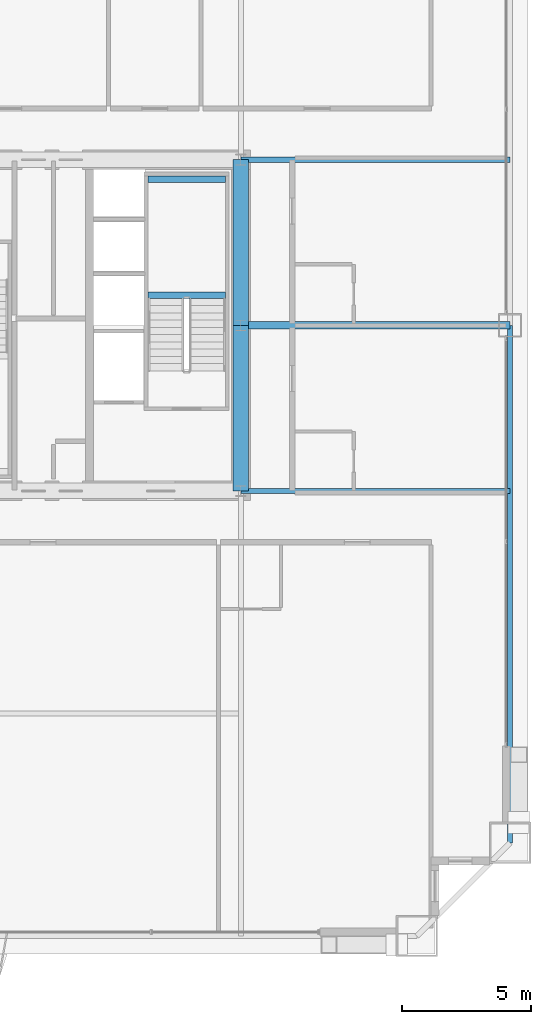
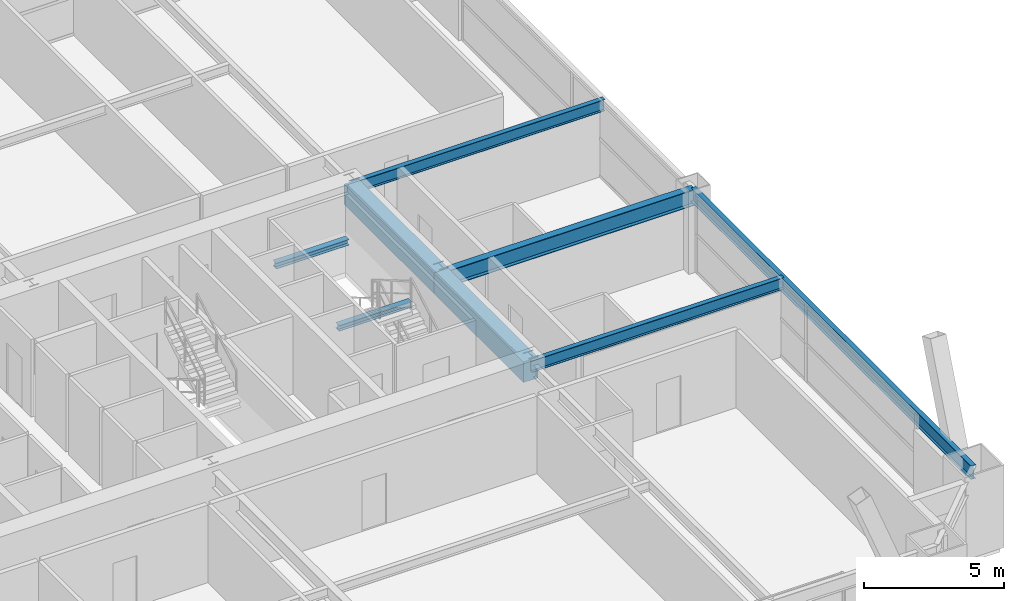
# One storey, part 17 of 41: 8 beams.
"""IFC4 building model written with IfcOpenShell, lengths in metres."""

from ifc_helpers import new_model, si_unit, direction, frame, origin, origin_2d, place, context, subcontext, project, spatial, rectangle, i_section, extrude, source, transform, mapped, material, material_profile, profile_set, type_object, element, save


model = new_model("IFC4")

# Units and contexts
model_context = context("Model", 3, precision=1e-05, world=origin(), true_north=direction((0.0, 1.0)))
body_context = subcontext(model_context, "Body", "Model", "MODEL_VIEW")
ifc_project = project(units=[si_unit("LENGTHUNIT", "METRE"), si_unit("AREAUNIT", "SQUARE_METRE"), si_unit("VOLUMEUNIT", "CUBIC_METRE"), si_unit("PLANEANGLEUNIT", "RADIAN"), si_unit("MASSUNIT", "GRAM", prefix="KILO"), si_unit("THERMODYNAMICTEMPERATUREUNIT", "KELVIN"), si_unit("POWERUNIT", "WATT")], contexts=[model_context])

# Site, building, storey
site_placement = place(None, origin())
site = spatial("IfcSite", under=ifc_project, at=site_placement, CompositionType="ELEMENT")
building_placement = place(site_placement, origin())
building = spatial("IfcBuilding", under=site, at=building_placement, Name="Yuzanri Waterfront Tower", CompositionType="ELEMENT")
storey_placement = place(building_placement, frame((0.0, 0.0, 115.39990234375)))
storey = spatial("IfcBuildingStorey", under=building, at=storey_placement, Name="L30", CompositionType="ELEMENT", Elevation=115.39990234375)

# Beams
ifc_material_1 = material(Name="Concrete C60", Category="concrete")
ifc_material_profile_1 = material_profile(ifc_material_1, rectangle(XDim=0.60009765625, YDim=0.89990234375, at=origin_2d()), Name="RC 600x900")
ifc_profile_set_1 = profile_set([ifc_material_profile_1], Name="Concrete C60")
beam_type_1 = type_object("IfcBeamType", Name="Core Coupling Lintel Concrete C60 600x900", PredefinedType="LINTEL", material=ifc_profile_set_1)
shared_shape_1 = source(origin(), body_context, "Body", "SweptSolid", [
    extrude(rectangle(XDim=0.60009765625, YDim=0.89990234375, at=origin_2d()), origin(), (0.0, 0.0, 1.0), 6.400146484375),
])
beam_1_placement = place(storey_placement, frame((50.199951171875, 19.39990234375, 2.93017578125), z_axis=(0.0, 1.0, 0.0), x_axis=(-1.0, 0.0, 0.0)))
element("IfcBeam", 1, at=beam_1_placement, inside=storey, type_object=beam_type_1, Name="L30 Core Tie Beam CE1", PredefinedType="LINTEL", context=body_context, shape_type="MappedRepresentation", body=[
    mapped(shared_shape_1, transform((0.0, 0.0, 0.0), scale=1.0)),
])
shared_shape_2 = source(origin(), body_context, "Body", "SweptSolid", [
    extrude(rectangle(XDim=0.60009765625, YDim=0.89990234375, at=origin_2d()), origin(), (0.0, 0.0, 1.0), 6.39990234375),
])
beam_2_placement = place(storey_placement, frame((50.199951171875, 25.800048828125, 2.93017578125), z_axis=(0.0, 1.0, 0.0), x_axis=(-1.0, 0.0, 0.0)))
element("IfcBeam", 2, at=beam_2_placement, inside=storey, type_object=beam_type_1, Name="L30 Core Tie Beam CE2", PredefinedType="LINTEL", context=body_context, shape_type="MappedRepresentation", body=[
    mapped(shared_shape_2, transform((0.0, 0.0, 0.0), scale=1.0)),
])
ifc_material_2 = material(Name="Steel Q355B", Category="steel")
ifc_material_profile_2 = material_profile(ifc_material_2, i_section(OverallWidth=0.199951171875, OverallDepth=0.60009765625, WebThickness=0.010986328125, FlangeThickness=0.01708984375, at=origin_2d()), Name="HN 600x200x11x17")
ifc_profile_set_2 = profile_set([ifc_material_profile_2], Name="Steel Q355B")
beam_type_2 = type_object("IfcBeamType", Name="Perimeter Spandrel Q355B HN 600x200", PredefinedType="SPANDREL", material=ifc_profile_set_2)
shared_shape_3 = source(origin(), body_context, "Body", "SweptSolid", [
    extrude(i_section(OverallWidth=0.199951171875, OverallDepth=0.60009765625, WebThickness=0.010986328125, FlangeThickness=0.01708984375, at=origin_2d()), origin(), (0.0, 0.0, 1.0), 20.0),
])
beam_3_placement = place(storey_placement, frame((60.60009765625, 5.800048828125, 3.080078125), z_axis=(0.0, 1.0, 0.0), x_axis=(-1.0, 0.0, 0.0)))
element("IfcBeam", 3, at=beam_3_placement, inside=storey, type_object=beam_type_2, Name="L30 Perimeter Spandrel E1-E2", PredefinedType="SPANDREL", context=body_context, shape_type="MappedRepresentation", body=[
    mapped(shared_shape_3, transform((0.0, 0.0, 0.0), scale=1.0)),
])
ifc_material_3 = material(Name="Steel Q355B", Category="steel")
ifc_material_profile_3 = material_profile(ifc_material_3, i_section(OverallWidth=0.300048828125, OverallDepth=0.699951171875, WebThickness=0.012939453125, FlangeThickness=0.02392578125, at=origin_2d()), Name="HN 700x300x13x24")
ifc_profile_set_3 = profile_set([ifc_material_profile_3], Name="Steel Q355B")
beam_type_3 = type_object("IfcBeamType", Name="Primary Floor Girder Q355B HN 700x300", PredefinedType="BEAM", material=ifc_profile_set_3)
shared_shape_4 = source(origin(), body_context, "Body", "SweptSolid", [
    extrude(i_section(OverallWidth=0.300048828125, OverallDepth=0.699951171875, WebThickness=0.012939453125, FlangeThickness=0.02392578125, at=origin_2d()), origin(), (0.0, 0.0, 1.0), 10.400146484375),
])
beam_4_placement = place(storey_placement, frame((50.199951171875, 25.800048828125, 3.030029296875), z_axis=(1.0, 0.0, 0.0), x_axis=(0.0, 1.0, 0.0)))
element("IfcBeam", 4, at=beam_4_placement, inside=storey, type_object=beam_type_3, Name="L30 East Grid Girder", PredefinedType="BEAM", context=body_context, shape_type="MappedRepresentation", body=[
    mapped(shared_shape_4, transform((0.0, 0.0, 0.0), scale=1.0)),
])
ifc_material_4 = material(Name="Steel Q355B", Category="steel")
ifc_material_profile_4 = material_profile(ifc_material_4, i_section(OverallWidth=0.199951171875, OverallDepth=0.5, WebThickness=0.010009765625, FlangeThickness=0.01611328125, at=origin_2d()), Name="HN 500x200x10x16")
ifc_profile_set_4 = profile_set([ifc_material_profile_4], Name="Steel Q355B")
beam_type_4 = type_object("IfcBeamType", Name="Secondary Floor Beam Q355B HN 500x200", PredefinedType="BEAM", material=ifc_profile_set_4)
shared_shape_5 = source(origin(), body_context, "Body", "SweptSolid", [
    extrude(i_section(OverallWidth=0.199951171875, OverallDepth=0.5, WebThickness=0.010009765625, FlangeThickness=0.01611328125, at=origin_2d()), origin(), (0.0, 0.0, 1.0), 10.400146484375),
])
for number, where, z_axis, x_axis, name in (
    (5, (50.199951171875, 19.39990234375, 3.130126953125), (1.0, 0.0, 0.0), (0.0, 1.0, 0.0), "L30 East-South Core Line Beam"),
    (6, (50.199951171875, 32.199951171875, 3.130126953125), (1.0, 0.0, 0.0), (0.0, 1.0, 0.0), "L30 East-North Core Line Beam"),
):
    element("IfcBeam", number, at=place(storey_placement, frame(where, z_axis=z_axis, x_axis=x_axis)), inside=storey, type_object=beam_type_4, Name=name, PredefinedType="BEAM", context=body_context, shape_type="MappedRepresentation", body=[
        mapped(shared_shape_5, transform((0.0, 0.0, 0.0), scale=1.0)),
    ])
ifc_material_5 = material(Name="Steel Q355B", Category="steel")
ifc_material_profile_5 = material_profile(ifc_material_5, i_section(OverallWidth=0.25, OverallDepth=0.25, WebThickness=0.009033203125, FlangeThickness=0.013916015625, at=origin_2d()), Name="HW 250x250x9x14")
ifc_profile_set_5 = profile_set([ifc_material_profile_5], Name="Steel Q355B")
beam_type_5 = type_object("IfcBeamType", Name="Stair Landing Support Beam Q355B HW 250x250", PredefinedType="BEAM", material=ifc_profile_set_5)
shared_shape_6 = source(origin(), body_context, "Body", "SweptSolid", [
    extrude(i_section(OverallWidth=0.25, OverallDepth=0.25, WebThickness=0.009033203125, FlangeThickness=0.013916015625, at=origin_2d()), origin(), (0.0, 0.0, 1.0), 3.0),
])
for number, where, z_axis, x_axis, name in (
    (7, (46.60009765625, 26.969970703125, 1.47509765625), (1.0, 0.0, 0.0), (0.0, 1.0, 0.0), "L30 Stair Landing Support Beam ST-02-L30-L1-1"),
    (8, (46.60009765625, 31.449951171875, 1.47509765625), (1.0, 0.0, 0.0), (0.0, 1.0, 0.0), "L30 Stair Landing Support Beam ST-02-L30-L1-2"),
):
    element("IfcBeam", number, at=place(storey_placement, frame(where, z_axis=z_axis, x_axis=x_axis)), inside=storey, type_object=beam_type_5, Name=name, PredefinedType="BEAM", context=body_context, shape_type="MappedRepresentation", body=[
        mapped(shared_shape_6, transform((0.0, 0.0, 0.0), scale=1.0)),
    ])

save(model, "model.ifc")
